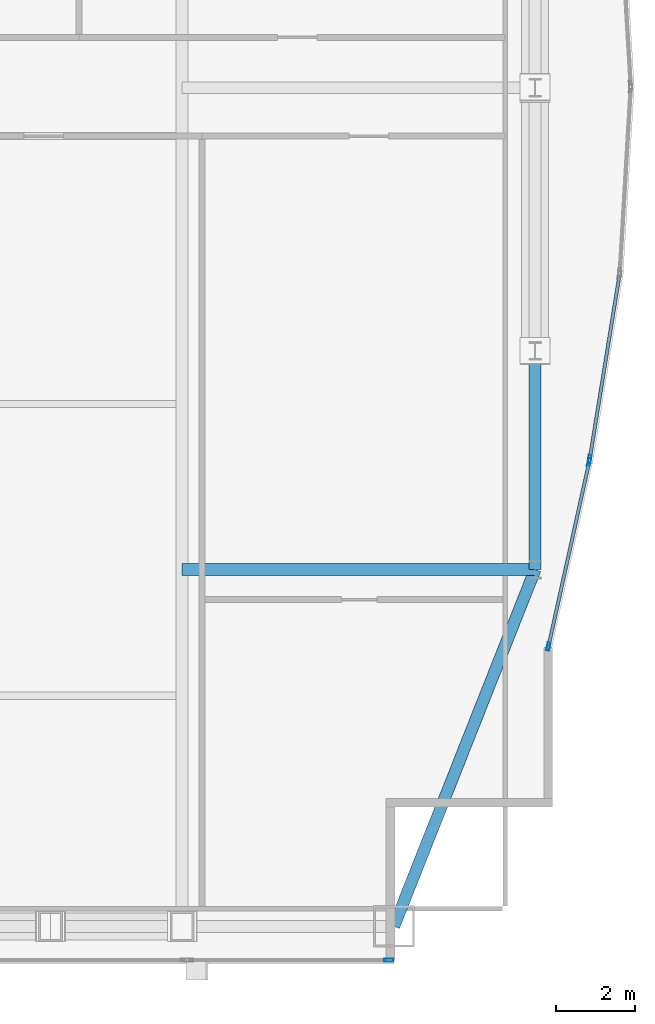
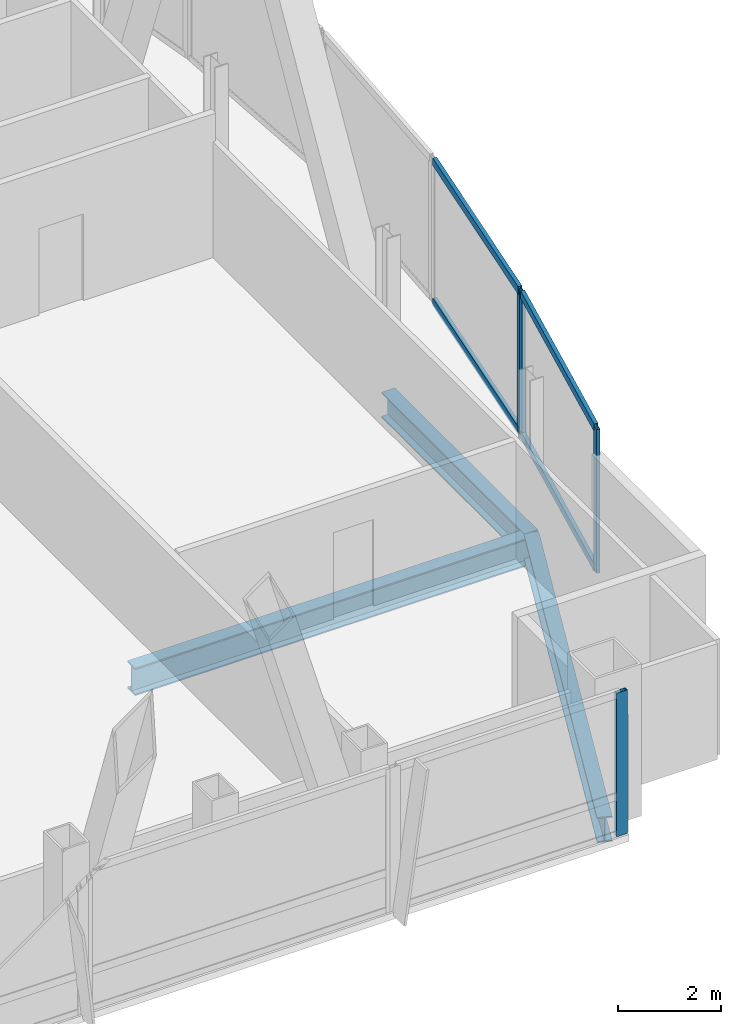
# One storey, part 16 of 31: 8 members, 3 beams, 3 elements without a shape of their own.
"""IFC4 building model written with IfcOpenShell, lengths in metres."""

from ifc_helpers import new_model, si_unit, direction, frame, origin, origin_2d, place, context, subcontext, project, spatial, hollow_rectangle, i_section, extrude, material, material_profile, profile_set, type_object, element, aggregate, save


model = new_model("IFC4")

# Units and contexts
model_context = context("Model", 3, precision=1e-05, world=origin(), true_north=direction((0.0, 1.0)))
body_context = subcontext(model_context, "Body", "Model", "MODEL_VIEW")
ifc_project = project(units=[si_unit("LENGTHUNIT", "METRE"), si_unit("AREAUNIT", "SQUARE_METRE"), si_unit("VOLUMEUNIT", "CUBIC_METRE"), si_unit("PLANEANGLEUNIT", "RADIAN"), si_unit("MASSUNIT", "GRAM", prefix="KILO")], contexts=[model_context])

# Site, building, storey
site_placement = place(None, origin())
site = spatial("IfcSite", under=ifc_project, at=site_placement, CompositionType="ELEMENT")
building_placement = place(site_placement, origin())
building = spatial("IfcBuilding", under=site, at=building_placement, Name="Khoronbel Lancet Exchange", CompositionType="ELEMENT")
storey_placement = place(building_placement, frame((0.0, 0.0, 261.800048828125)))
storey = spatial("IfcBuildingStorey", under=building, at=storey_placement, Name="L67", CompositionType="ELEMENT", Elevation=261.800048828125)

# Beams
ifc_material_1 = material(Name="Steel S355", Category="steel")
ifc_material_profile_1 = material_profile(ifc_material_1, i_section(OverallWidth=0.300048828125, OverallDepth=0.64990234375, WebThickness=0.01611328125, FlangeThickness=0.031005859375, at=origin_2d()), Name="HEB 650")
ifc_profile_set_1 = profile_set([ifc_material_profile_1], Name="Steel S355")
beam_type_1 = type_object("IfcBeamType", Name="BM-BG4", PredefinedType="BEAM", material=ifc_profile_set_1)
beam_1_placement = place(storey_placement, frame((54.675048828125, 19.199951171875, -0.485107421875), z_axis=(1.0, 0.0, 0.0), x_axis=(0.0, 1.0, 0.0)))
element("IfcBeam", 1, at=beam_1_placement, inside=storey, type_object=beam_type_1, Name="Level L67 east lens tie girder LG1E", PredefinedType="BEAM", context=body_context, shape_type="SweptSolid", body=[
    extrude(i_section(OverallWidth=0.300048828125, OverallDepth=0.64990234375, WebThickness=0.01611328125, FlangeThickness=0.031005859375, at=origin_2d()), origin(), (0.0, 0.0, 1.0), 8.954833984375),
])
ifc_material_profile_2 = material_profile(ifc_material_1, i_section(OverallWidth=0.300048828125, OverallDepth=0.60009765625, WebThickness=0.015380859375, FlangeThickness=0.030029296875, at=origin_2d()), Name="HEB 600")
ifc_profile_set_2 = profile_set([ifc_material_profile_2], Name="Steel S355")
beam_type_2 = type_object("IfcBeamType", Name="BM-BSP2", PredefinedType="SPANDREL", material=ifc_profile_set_2)
beam_2_placement = place(storey_placement, frame((60.050048828125, 10.14990234375, -0.4599609375), z_axis=(0.367828403855, 0.929893684954, 0.0), x_axis=(-0.929893684954, 0.367828403855, 0.0)))
element("IfcBeam", 2, at=beam_2_placement, inside=storey, type_object=beam_type_2, Name="Level L67 perimeter spandrel beam SP10", PredefinedType="SPANDREL", context=body_context, shape_type="SweptSolid", body=[
    extrude(i_section(OverallWidth=0.300048828125, OverallDepth=0.60009765625, WebThickness=0.015380859375, FlangeThickness=0.030029296875, at=origin_2d()), origin(), (0.0, 0.0, 1.0), 9.732421875),
])
beam_3_placement = place(storey_placement, frame((63.6298828125, 19.199951171875, -0.4599609375), z_axis=(0.0, 1.0, 0.0), x_axis=(-1.0, 0.0, 0.0)))
element("IfcBeam", 3, at=beam_3_placement, inside=storey, type_object=beam_type_2, Name="Level L67 perimeter spandrel beam SP11", PredefinedType="SPANDREL", context=body_context, shape_type="SweptSolid", body=[
    extrude(i_section(OverallWidth=0.300048828125, OverallDepth=0.60009765625, WebThickness=0.015380859375, FlangeThickness=0.030029296875, at=origin_2d()), origin(), (0.0, 0.0, 1.0), 5.550048828125),
])

# Curtain wall, member
ifc_material_2 = material(Name="Low-E Solar Control Insulating Glass", Category="glass")
curtain_wall_type_1 = type_object("IfcCurtainWallType", Name="CW-3", PredefinedType="NOTDEFINED", material=ifc_material_2)
curtain_wall_1_placement = place(storey_placement, origin())
curtain_wall_1 = element("IfcCurtainWall", 4, at=curtain_wall_1_placement, inside=storey, type_object=curtain_wall_type_1, Name="Unitised curtain wall CW-L67-SEV", PredefinedType="NOTDEFINED")
ifc_material_3 = material(Name="Bronze-Anodised Aluminium 6063-T6", Category="aluminium")
ifc_material_profile_3 = material_profile(ifc_material_3, hollow_rectangle(XDim=0.0849609375, YDim=0.239990234375, WallThickness=0.006103515625, at=origin_2d()), Name="ALU MULLION 85x240")
ifc_profile_set_3 = profile_set([ifc_material_profile_3], Name="Bronze-Anodised Aluminium 6063-T6")
member_type_1 = type_object("IfcMemberType", Name="MEM-CWM1", PredefinedType="MULLION", material=ifc_profile_set_3)
member_1_placement = place(storey_placement, frame((59.91748046875, 9.2900390625, 0.0), z_axis=(0.0, 0.0, 1.0), x_axis=(0.0, 1.0, 0.0)))
member_1 = element("IfcMember", 5, at=member_1_placement, type_object=member_type_1, Name="CW3 mullion 2", PredefinedType="MULLION", context=body_context, shape_type="SweptSolid", body=[
    extrude(hollow_rectangle(XDim=0.0849609375, YDim=0.239990234375, WallThickness=0.006103515625, at=origin_2d()), origin(), (0.0, 0.0, 1.0), 3.39990234375),
])
aggregate(curtain_wall_1, [member_1])

curtain_wall_type_2 = type_object("IfcCurtainWallType", Name="CW-4", PredefinedType="NOTDEFINED", material=ifc_material_2)
curtain_wall_2_placement = place(storey_placement, origin())
curtain_wall_2 = element("IfcCurtainWall", 6, at=curtain_wall_2_placement, inside=storey, type_object=curtain_wall_type_2, Name="Unitised curtain wall CW-L67-E21", PredefinedType="NOTDEFINED")
ifc_material_profile_4 = material_profile(ifc_material_3, hollow_rectangle(XDim=0.074951171875, YDim=0.199951171875, WallThickness=0.0048828125, at=origin_2d()), Name="ALU MULLION 75x200")
ifc_profile_set_4 = profile_set([ifc_material_profile_4], Name="Bronze-Anodised Aluminium 6063-T6")
member_type_2 = type_object("IfcMemberType", Name="MEM-CWM2", PredefinedType="MULLION", material=ifc_profile_set_4)
member_2_placement = place(storey_placement, frame((65.015625, 22.00390625, 0.0), z_axis=(0.0, 0.0, 1.0), x_axis=(0.987205103846, -0.159455582972, 0.0)))
member_2 = element("IfcMember", 7, at=member_2_placement, type_object=member_type_2, Name="CW4 mullion 2", PredefinedType="MULLION", context=body_context, shape_type="SweptSolid", body=[
    extrude(hollow_rectangle(XDim=0.074951171875, YDim=0.199951171875, WallThickness=0.0048828125, at=origin_2d()), origin(), (0.0, 0.0, 1.0), 3.39990234375),
])

# Curtain wall, members
curtain_wall_3_placement = place(storey_placement, origin())
curtain_wall_3 = element("IfcCurtainWall", 8, at=curtain_wall_3_placement, inside=storey, type_object=curtain_wall_type_2, Name="Unitised curtain wall CW-L67-E22", PredefinedType="NOTDEFINED")
member_3_placement = place(storey_placement, frame((65.001708984375, 21.93017578125, 0.0), z_axis=(0.0, 0.0, 1.0), x_axis=(0.976509102721, -0.215476152515, 0.0)))
member_3 = element("IfcMember", 9, at=member_3_placement, type_object=member_type_2, Name="CW4 mullion 1", PredefinedType="MULLION", context=body_context, shape_type="SweptSolid", body=[
    extrude(hollow_rectangle(XDim=0.074951171875, YDim=0.199951171875, WallThickness=0.0048828125, at=origin_2d()), origin(), (0.0, 0.0, 1.0), 3.39990234375),
])
member_4_placement = place(storey_placement, frame((63.968017578125, 17.246337890625, 0.0), z_axis=(0.0, 0.0, 1.0), x_axis=(0.976509102721, -0.215476152515, 0.0)))
member_4 = element("IfcMember", 10, at=member_4_placement, type_object=member_type_2, Name="CW4 mullion 2", PredefinedType="MULLION", context=body_context, shape_type="SweptSolid", body=[
    extrude(hollow_rectangle(XDim=0.074951171875, YDim=0.199951171875, WallThickness=0.0048828125, at=origin_2d()), origin(), (0.0, 0.0, 1.0), 3.39990234375),
])

# Member
ifc_material_profile_5 = material_profile(ifc_material_3, hollow_rectangle(XDim=0.0849609375, YDim=0.179931640625, WallThickness=0.0048828125, at=origin_2d()), Name="ALU TRANSOM 85x180")
ifc_profile_set_5 = profile_set([ifc_material_profile_5], Name="Bronze-Anodised Aluminium 6063-T6")
member_type_3 = type_object("IfcMemberType", Name="MEM-CWT1", PredefinedType="USERDEFINED", material=ifc_profile_set_5)
member_5_placement = place(storey_placement, frame((65.763916015625, 26.6357421875, 0.04248046875), z_axis=(-0.159463321766, -0.987203853827, 0.0), x_axis=(0.987203853827, -0.159463321766, 0.0)))
member_5 = element("IfcMember", 11, at=member_5_placement, type_object=member_type_3, Name="CW4 transom 1.1", ObjectType="TRANSOM", PredefinedType="USERDEFINED", context=body_context, shape_type="SweptSolid", body=[
    extrude(hollow_rectangle(XDim=0.0849609375, YDim=0.179931640625, WallThickness=0.0048828125, at=origin_2d()), origin(), (0.0, 0.0, 1.0), 4.654296875),
])

member_6_placement = place(storey_placement, frame((65.763916015625, 26.6357421875, 3.357421875), z_axis=(-0.159463321766, -0.987203853827, 0.0), x_axis=(0.987203853827, -0.159463321766, 0.0)))
member_6 = element("IfcMember", 12, at=member_6_placement, type_object=member_type_3, Name="CW4 transom 1.2", ObjectType="TRANSOM", PredefinedType="USERDEFINED", context=body_context, shape_type="SweptSolid", body=[
    extrude(hollow_rectangle(XDim=0.0849609375, YDim=0.179931640625, WallThickness=0.0048828125, at=origin_2d()), origin(), (0.0, 0.0, 1.0), 4.654296875),
])

aggregate(curtain_wall_2, [member_2, member_5, member_6])

member_7_placement = place(storey_placement, frame((64.99365234375, 21.8935546875, 0.04248046875), z_axis=(-0.215517697989, -0.976499934385, 0.0), x_axis=(0.976499934385, -0.215517697989, 0.0)))
member_7 = element("IfcMember", 13, at=member_7_placement, type_object=member_type_3, Name="CW4 transom 1.1", ObjectType="TRANSOM", PredefinedType="USERDEFINED", context=body_context, shape_type="SweptSolid", body=[
    extrude(hollow_rectangle(XDim=0.0849609375, YDim=0.179931640625, WallThickness=0.0048828125, at=origin_2d()), origin(), (0.0, 0.0, 1.0), 4.721435546875),
])

member_8_placement = place(storey_placement, frame((64.99365234375, 21.8935546875, 3.357421875), z_axis=(-0.215517697989, -0.976499934385, 0.0), x_axis=(0.976499934385, -0.215517697989, 0.0)))
member_8 = element("IfcMember", 14, at=member_8_placement, type_object=member_type_3, Name="CW4 transom 1.2", ObjectType="TRANSOM", PredefinedType="USERDEFINED", context=body_context, shape_type="SweptSolid", body=[
    extrude(hollow_rectangle(XDim=0.0849609375, YDim=0.179931640625, WallThickness=0.0048828125, at=origin_2d()), origin(), (0.0, 0.0, 1.0), 4.721435546875),
])

aggregate(curtain_wall_3, [member_3, member_4, member_7, member_8])

save(model, "model.ifc")
